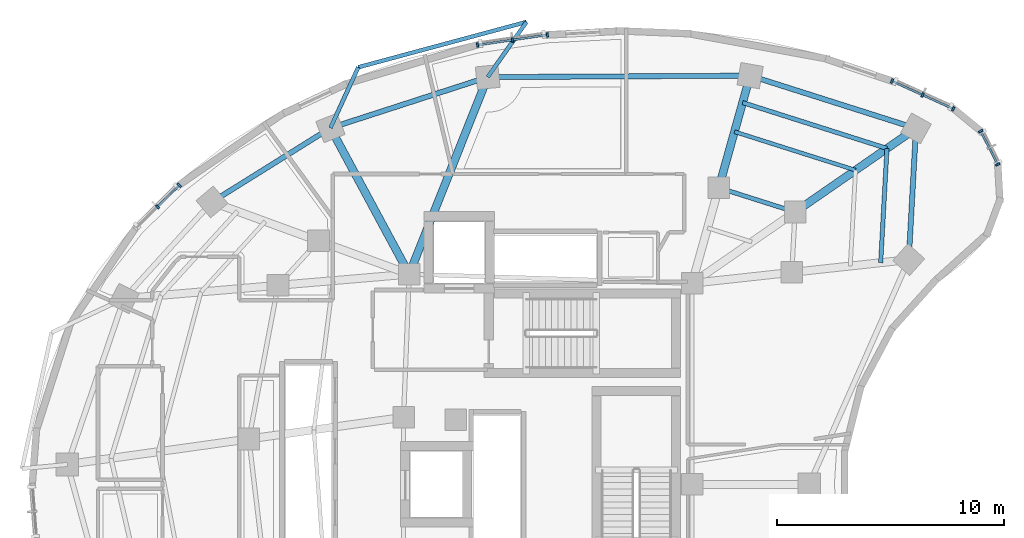
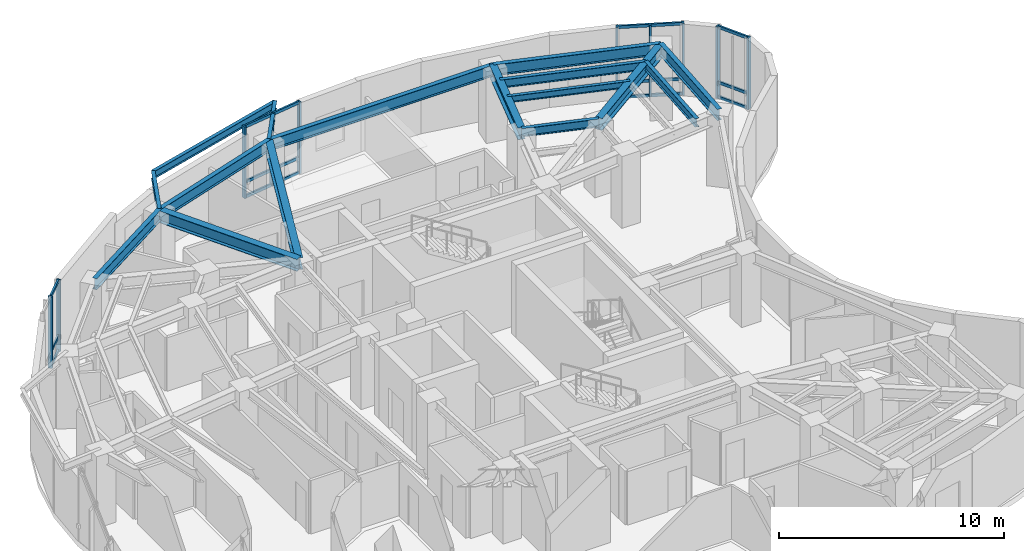
# One storey, part 5 of 13: 28 members, 16 beams, 4 elements without a shape of their own.
"""IFC4 building model written with IfcOpenShell, lengths in metres."""

from ifc_helpers import new_model, si_unit, direction, frame, origin, origin_2d, place, context, subcontext, project, spatial, rectangle, i_section, extrude, material, layer, layer_set, material_profile, profile_set, type_object, element, aggregate, save


model = new_model("IFC4")

# Units and contexts
model_context = context("Model", 3, precision=1e-05, world=origin(), true_north=direction((0.0, 1.0)))
body_context = subcontext(model_context, "Body", "Model", "MODEL_VIEW")
ifc_project = project(units=[si_unit("LENGTHUNIT", "METRE"), si_unit("AREAUNIT", "SQUARE_METRE"), si_unit("VOLUMEUNIT", "CUBIC_METRE"), si_unit("PLANEANGLEUNIT", "RADIAN"), si_unit("MASSUNIT", "GRAM", prefix="KILO")], contexts=[model_context])

# Site, building, storey
site_placement = place(None, origin())
site = spatial("IfcSite", under=ifc_project, at=site_placement, CompositionType="ELEMENT")
building_placement = place(site_placement, origin())
building = spatial("IfcBuilding", under=site, at=building_placement, Name="Korentha Bioscience Tower", CompositionType="ELEMENT")
storey_placement = place(building_placement, frame((0.0, 0.0, 200.39990234375)))
storey = spatial("IfcBuildingStorey", under=building, at=storey_placement, Name="L46", CompositionType="ELEMENT", Elevation=200.39990234375)

# Beam
ifc_material_1 = material(Name="Steel S355", Category="steel")
ifc_material_profile_1 = material_profile(ifc_material_1, i_section(OverallWidth=0.18994140625, OverallDepth=0.45703125, WebThickness=0.009033203125, FlangeThickness=0.014404296875, at=origin_2d()), Name="Steel S355")
ifc_profile_set_1 = profile_set([ifc_material_profile_1], Name="Steel S355 (MB-460)")
beam_type_1 = type_object("IfcBeamType", Name="Mid-Ring Tie Girder W460x74", PredefinedType="BEAM", material=ifc_profile_set_1)
beam_1_placement = place(storey_placement, frame((42.084228515625, 38.985595703125, 3.671630859375), z_axis=(-0.953017639844, 0.302914803446, 0.0), x_axis=(-0.302914803446, -0.953017639844, 0.0)))
element("IfcBeam", 1, at=beam_1_placement, inside=storey, type_object=beam_type_1, Name="L46 Mid-Ring Tie Girder 01", PredefinedType="BEAM", context=body_context, shape_type="SweptSolid", body=[
    extrude(i_section(OverallWidth=0.18994140625, OverallDepth=0.45703125, WebThickness=0.009033203125, FlangeThickness=0.014404296875, at=origin_2d()), origin(), (0.0, 0.0, 1.0), 3.523681640625),
])

# Curtain wall, members
ifc_material_2 = material(Name="Thermally Broken Aluminium Frame", Category="aluminium")
ifc_layer = layer(ifc_material_2, 0.219970703125, Name="Thermally Broken Aluminium Frame")
ifc_layer_set = layer_set([ifc_layer], Name="Thermally Broken Aluminium Frame (CW-T2)")
curtain_wall_type = type_object("IfcCurtainWallType", Name="Solar-Screened Lab Unitised Curtain Wall CW-T2", PredefinedType="USERDEFINED", material=ifc_layer_set)
curtain_wall_1_placement = place(storey_placement, origin())
curtain_wall_1 = element("IfcCurtainWall", 2, at=curtain_wall_1_placement, inside=storey, type_object=curtain_wall_type, Name="L46 Curtain Wall 01", ObjectType="UNITISED", PredefinedType="USERDEFINED")
ifc_material_3 = material(Name="Anodised Aluminium 6063-T6", Category="aluminium")
ifc_material_profile_2 = material_profile(ifc_material_3, rectangle(XDim=0.090087890625, YDim=0.199951171875, at=origin_2d()), Name="Anodised Aluminium 6063-T6")
ifc_profile_set_2 = profile_set([ifc_material_profile_2], Name="Anodised Aluminium 6063-T6 (CW-MUL)")
member_type_1 = type_object("IfcMemberType", Name="Mullion RECT 90x200", PredefinedType="MULLION", material=ifc_profile_set_2)
member_1_placement = place(storey_placement, frame((49.044677734375, 43.52587890625, 0.0), z_axis=(0.0, 0.0, 1.0), x_axis=(-0.910520215031, 0.413464554733, 0.0)))
member_1 = element("IfcMember", 3, at=member_1_placement, type_object=member_type_1, Name="CW-L46-01 Mullion 1", PredefinedType="MULLION", context=body_context, shape_type="SweptSolid", body=[
    extrude(rectangle(XDim=0.090087890625, YDim=0.199951171875, at=origin_2d()), origin(), (0.0, 0.0, 1.0), 3.900146484375),
])
member_2_placement = place(storey_placement, frame((47.697021484375, 44.137939453125, 0.0), z_axis=(0.0, 0.0, 1.0), x_axis=(-0.910520215031, 0.413464554733, 0.0)))
member_2 = element("IfcMember", 4, at=member_2_placement, type_object=member_type_1, Name="CW-L46-01 Mullion 2", PredefinedType="MULLION", context=body_context, shape_type="SweptSolid", body=[
    extrude(rectangle(XDim=0.090087890625, YDim=0.199951171875, at=origin_2d()), origin(), (0.0, 0.0, 1.0), 3.900146484375),
])
member_3_placement = place(storey_placement, frame((46.34912109375, 44.75, 0.0), z_axis=(0.0, 0.0, 1.0), x_axis=(-0.910520215031, 0.413464554733, 0.0)))
member_3 = element("IfcMember", 5, at=member_3_placement, type_object=member_type_1, Name="CW-L46-01 Mullion 3", PredefinedType="MULLION", context=body_context, shape_type="SweptSolid", body=[
    extrude(rectangle(XDim=0.090087890625, YDim=0.199951171875, at=origin_2d()), origin(), (0.0, 0.0, 1.0), 3.900146484375),
])

curtain_wall_2_placement = place(storey_placement, origin())
curtain_wall_2 = element("IfcCurtainWall", 6, at=curtain_wall_2_placement, inside=storey, type_object=curtain_wall_type, Name="L46 Curtain Wall 07", ObjectType="UNITISED", PredefinedType="USERDEFINED")
member_4_placement = place(storey_placement, frame((31.18017578125, 46.78369140625, 0.0), z_axis=(0.0, 0.0, 1.0), x_axis=(-0.989449480287, -0.144878314317, 0.0)))
member_4 = element("IfcMember", 7, at=member_4_placement, type_object=member_type_1, Name="CW-L46-07 Mullion 1", PredefinedType="MULLION", context=body_context, shape_type="SweptSolid", body=[
    extrude(rectangle(XDim=0.090087890625, YDim=0.199951171875, at=origin_2d()), origin(), (0.0, 0.0, 1.0), 3.900146484375),
])
member_5_placement = place(storey_placement, frame((29.642333984375, 46.55859375, 0.0), z_axis=(0.0, 0.0, 1.0), x_axis=(-0.989449480287, -0.144878314317, 0.0)))
member_5 = element("IfcMember", 8, at=member_5_placement, type_object=member_type_1, Name="CW-L46-07 Mullion 2", PredefinedType="MULLION", context=body_context, shape_type="SweptSolid", body=[
    extrude(rectangle(XDim=0.090087890625, YDim=0.199951171875, at=origin_2d()), origin(), (0.0, 0.0, 1.0), 3.900146484375),
])
member_6_placement = place(storey_placement, frame((28.1044921875, 46.333251953125, 0.0), z_axis=(0.0, 0.0, 1.0), x_axis=(-0.989449480287, -0.144878314317, 0.0)))
member_6 = element("IfcMember", 9, at=member_6_placement, type_object=member_type_1, Name="CW-L46-07 Mullion 3", PredefinedType="MULLION", context=body_context, shape_type="SweptSolid", body=[
    extrude(rectangle(XDim=0.090087890625, YDim=0.199951171875, at=origin_2d()), origin(), (0.0, 0.0, 1.0), 3.900146484375),
])

curtain_wall_3_placement = place(storey_placement, origin())
curtain_wall_3 = element("IfcCurtainWall", 10, at=curtain_wall_3_placement, inside=storey, type_object=curtain_wall_type, Name="L46 Curtain Wall 13", ObjectType="UNITISED", PredefinedType="USERDEFINED")
member_7_placement = place(storey_placement, frame((14.9794921875, 40.162353515625, 0.0), z_axis=(0.0, 0.0, 1.0), x_axis=(-0.711177694756, -0.703012294688, 0.0)))
member_7 = element("IfcMember", 11, at=member_7_placement, type_object=member_type_1, Name="CW-L46-13 Mullion 1", PredefinedType="MULLION", context=body_context, shape_type="SweptSolid", body=[
    extrude(rectangle(XDim=0.090087890625, YDim=0.199951171875, at=origin_2d()), origin(), (0.0, 0.0, 1.0), 3.900146484375),
])
member_8_placement = place(storey_placement, frame((14.018798828125, 39.21240234375, 0.0), z_axis=(0.0, 0.0, 1.0), x_axis=(-0.711177694756, -0.703012294688, 0.0)))
member_8 = element("IfcMember", 12, at=member_8_placement, type_object=member_type_1, Name="CW-L46-13 Mullion 2", PredefinedType="MULLION", context=body_context, shape_type="SweptSolid", body=[
    extrude(rectangle(XDim=0.090087890625, YDim=0.199951171875, at=origin_2d()), origin(), (0.0, 0.0, 1.0), 3.900146484375),
])

curtain_wall_4_placement = place(storey_placement, origin())
curtain_wall_4 = element("IfcCurtainWall", 13, at=curtain_wall_4_placement, inside=storey, type_object=curtain_wall_type, Name="L46 Curtain Wall 61", ObjectType="UNITISED", PredefinedType="USERDEFINED")
member_9_placement = place(storey_placement, frame((51.003662109375, 41.07861328125, 0.0), z_axis=(0.0, 0.0, 1.0), x_axis=(-0.454115695623, 0.89094272262, 0.0)))
member_9 = element("IfcMember", 14, at=member_9_placement, type_object=member_type_1, Name="CW-L46-61 Mullion 1", PredefinedType="MULLION", context=body_context, shape_type="SweptSolid", body=[
    extrude(rectangle(XDim=0.090087890625, YDim=0.199951171875, at=origin_2d()), origin(), (0.0, 0.0, 1.0), 3.900146484375),
])
member_10_placement = place(storey_placement, frame((50.25634765625, 42.54443359375, 0.0), z_axis=(0.0, 0.0, 1.0), x_axis=(-0.454115695623, 0.89094272262, 0.0)))
member_10 = element("IfcMember", 15, at=member_10_placement, type_object=member_type_1, Name="CW-L46-61 Mullion 2", PredefinedType="MULLION", context=body_context, shape_type="SweptSolid", body=[
    extrude(rectangle(XDim=0.090087890625, YDim=0.199951171875, at=origin_2d()), origin(), (0.0, 0.0, 1.0), 3.900146484375),
])

# Beams
ifc_material_profile_3 = material_profile(ifc_material_1, i_section(OverallWidth=0.22802734375, OverallDepth=0.60791015625, WebThickness=0.01123046875, FlangeThickness=0.017333984375, at=origin_2d()), Name="Steel S355")
ifc_profile_set_3 = profile_set([ifc_material_profile_3], Name="Steel S355 (SB-610)")
beam_type_2 = type_object("IfcBeamType", Name="Perimeter Ring Spandrel Girder W610x113", PredefinedType="SPANDREL", material=ifc_profile_set_3)
beam_2_placement = place(storey_placement, frame((47.406982421875, 42.666259765625, 3.59619140625), z_axis=(-0.953001929023, 0.30296422772, 0.0), x_axis=(-0.30296422772, -0.953001929023, 0.0)))
element("IfcBeam", 16, at=beam_2_placement, inside=storey, type_object=beam_type_2, Name="L46 Perimeter Spandrel Girder 01", PredefinedType="SPANDREL", context=body_context, shape_type="SweptSolid", body=[
    extrude(i_section(OverallWidth=0.22802734375, OverallDepth=0.60791015625, WebThickness=0.01123046875, FlangeThickness=0.017333984375, at=origin_2d()), origin(), (0.0, 0.0, 1.0), 7.660400390625),
])
beam_3_placement = place(storey_placement, frame((40.106689453125, 44.987060546875, 3.59619140625), z_axis=(-0.999984906184, -0.005494306452, 0.0), x_axis=(0.005494306452, -0.999984906184, 0.0)))
element("IfcBeam", 17, at=beam_3_placement, inside=storey, type_object=beam_type_2, Name="L46 Perimeter Spandrel Girder 02", PredefinedType="SPANDREL", context=body_context, shape_type="SweptSolid", body=[
    extrude(i_section(OverallWidth=0.22802734375, OverallDepth=0.60791015625, WebThickness=0.01123046875, FlangeThickness=0.017333984375, at=origin_2d()), origin(), (0.0, 0.0, 1.0), 11.55322265625),
])
beam_4_placement = place(storey_placement, frame((28.5537109375, 44.923583984375, 3.59619140625), z_axis=(-0.951425150124, -0.307880145042, 0.0), x_axis=(0.307880145042, -0.951425150124, 0.0)))
element("IfcBeam", 18, at=beam_4_placement, inside=storey, type_object=beam_type_2, Name="L46 Perimeter Spandrel Girder 03", PredefinedType="SPANDREL", context=body_context, shape_type="SweptSolid", body=[
    extrude(i_section(OverallWidth=0.22802734375, OverallDepth=0.60791015625, WebThickness=0.01123046875, FlangeThickness=0.017333984375, at=origin_2d()), origin(), (0.0, 0.0, 1.0), 7.275634765625),
])
beam_5_placement = place(storey_placement, frame((21.631591796875, 42.68359375, 3.59619140625), z_axis=(-0.848274790748, -0.52955630426, 0.0), x_axis=(0.52955630426, -0.848274790748, 0.0)))
element("IfcBeam", 19, at=beam_5_placement, inside=storey, type_object=beam_type_2, Name="L46 Perimeter Spandrel Girder 04", PredefinedType="SPANDREL", context=body_context, shape_type="SweptSolid", body=[
    extrude(i_section(OverallWidth=0.22802734375, OverallDepth=0.60791015625, WebThickness=0.01123046875, FlangeThickness=0.017333984375, at=origin_2d()), origin(), (0.0, 0.0, 1.0), 6.148681640625),
])
beam_6_placement = place(storey_placement, frame((47.088134765625, 36.88916015625, 3.59619140625), z_axis=(0.055107780824, 0.998480411672, 0.0), x_axis=(-0.998480411672, 0.055107780824, 0.0)))
element("IfcBeam", 20, at=beam_6_placement, inside=storey, type_object=beam_type_2, Name="L46 Perimeter Spandrel Girder 16", PredefinedType="SPANDREL", context=body_context, shape_type="SweptSolid", body=[
    extrude(i_section(OverallWidth=0.22802734375, OverallDepth=0.60791015625, WebThickness=0.01123046875, FlangeThickness=0.017333984375, at=origin_2d()), origin(), (0.0, 0.0, 1.0), 5.785888671875),
])
ifc_material_profile_4 = material_profile(ifc_material_1, i_section(OverallWidth=0.18994140625, OverallDepth=0.45703125, WebThickness=0.009033203125, FlangeThickness=0.014404296875, at=origin_2d()), Name="Steel S355")
ifc_profile_set_4 = profile_set([ifc_material_profile_4], Name="Steel S355 (RB-460)")
beam_type_3 = type_object("IfcBeamType", Name="Radial Laboratory Beam W460x74", PredefinedType="BEAM", material=ifc_profile_set_4)
beam_7_placement = place(storey_placement, frame((46.12939453125, 41.782958984375, 3.671630859375), z_axis=(-0.953010382505, 0.302937635229, 0.0), x_axis=(-0.302937635229, -0.953010382505, 0.0)))
element("IfcBeam", 21, at=beam_7_placement, inside=storey, type_object=beam_type_3, Name="L46 Secondary Floor Beam JSTO-01", PredefinedType="BEAM", context=body_context, shape_type="SweptSolid", body=[
    extrude(i_section(OverallWidth=0.18994140625, OverallDepth=0.45703125, WebThickness=0.009033203125, FlangeThickness=0.014404296875, at=origin_2d()), origin(), (0.0, 0.0, 1.0), 6.667236328125),
])
beam_8_placement = place(storey_placement, frame((45.85205078125, 36.75439453125, 3.671630859375), z_axis=(0.055069967357, 0.998482497941, 0.0), x_axis=(-0.998482497941, 0.055069967357, 0.0)))
element("IfcBeam", 22, at=beam_8_placement, inside=storey, type_object=beam_type_3, Name="L46 Secondary Floor Beam JSTO-16", PredefinedType="BEAM", context=body_context, shape_type="SweptSolid", body=[
    extrude(i_section(OverallWidth=0.18994140625, OverallDepth=0.45703125, WebThickness=0.009033203125, FlangeThickness=0.014404296875, at=origin_2d()), origin(), (0.0, 0.0, 1.0), 5.0361328125),
])
ifc_material_profile_5 = material_profile(ifc_material_1, i_section(OverallWidth=0.35009765625, OverallDepth=0.64990234375, WebThickness=0.01611328125, FlangeThickness=0.02490234375, at=origin_2d()), Name="Steel S355")
ifc_profile_set_5 = profile_set([ifc_material_profile_5], Name="Steel S355 (RB-650)")
beam_type_4 = type_object("IfcBeamType", Name="Radial Laboratory Girder CVS 650x208", PredefinedType="BEAM", material=ifc_profile_set_5)
beam_9_placement = place(storey_placement, frame((42.084228515625, 38.985595703125, 3.5751953125), z_axis=(0.822504439948, 0.568758688958, 0.0), x_axis=(-0.568758688958, 0.822504439948, 0.0)))
element("IfcBeam", 23, at=beam_9_placement, inside=storey, type_object=beam_type_4, Name="L46 Outer Radial Girder 01", PredefinedType="BEAM", context=body_context, shape_type="SweptSolid", body=[
    extrude(i_section(OverallWidth=0.35009765625, OverallDepth=0.64990234375, WebThickness=0.01611328125, FlangeThickness=0.02490234375, at=origin_2d()), origin(), (0.0, 0.0, 1.0), 6.471435546875),
])
beam_10_placement = place(storey_placement, frame((38.72607421875, 40.052978515625, 3.5751953125), z_axis=(0.269462014476, 0.96301101902, 0.0), x_axis=(-0.96301101902, 0.269462014476, 0.0)))
element("IfcBeam", 24, at=beam_10_placement, inside=storey, type_object=beam_type_4, Name="L46 Outer Radial Girder 02", PredefinedType="BEAM", context=body_context, shape_type="SweptSolid", body=[
    extrude(i_section(OverallWidth=0.35009765625, OverallDepth=0.64990234375, WebThickness=0.01611328125, FlangeThickness=0.02490234375, at=origin_2d()), origin(), (0.0, 0.0, 1.0), 5.12353515625),
])
beam_11_placement = place(storey_placement, frame((25.10009765625, 36.25, 3.5751953125), z_axis=(0.369929378235, 0.929059877036, 0.0), x_axis=(-0.929059877036, 0.369929378235, 0.0)))
element("IfcBeam", 25, at=beam_11_placement, inside=storey, type_object=beam_type_4, Name="L46 Radial Girder 03", PredefinedType="BEAM", context=body_context, shape_type="SweptSolid", body=[
    extrude(i_section(OverallWidth=0.35009765625, OverallDepth=0.64990234375, WebThickness=0.01611328125, FlangeThickness=0.02490234375, at=origin_2d()), origin(), (0.0, 0.0, 1.0), 9.3359375),
])
beam_12_placement = place(storey_placement, frame((25.10009765625, 36.25, 3.5751953125), z_axis=(-0.47455192253, 0.880227511967, 0.0), x_axis=(-0.880227511967, -0.47455192253, 0.0)))
element("IfcBeam", 26, at=beam_12_placement, inside=storey, type_object=beam_type_4, Name="L46 Radial Girder 04", PredefinedType="BEAM", context=body_context, shape_type="SweptSolid", body=[
    extrude(i_section(OverallWidth=0.35009765625, OverallDepth=0.64990234375, WebThickness=0.01611328125, FlangeThickness=0.02490234375, at=origin_2d()), origin(), (0.0, 0.0, 1.0), 7.30908203125),
])
ifc_material_profile_6 = material_profile(ifc_material_1, i_section(OverallWidth=0.1708984375, OverallDepth=0.35498046875, WebThickness=0.007080078125, FlangeThickness=0.01171875, at=origin_2d()), Name="Steel S355")
ifc_profile_set_6 = profile_set([ifc_material_profile_6], Name="Steel S355 (JB-360)")
beam_type_5 = type_object("IfcBeamType", Name="Secondary Laboratory Joist W360x51", PredefinedType="JOIST", material=ifc_profile_set_6)
beam_13_placement = place(storey_placement, frame((44.74560546875, 40.825927734375, 3.72265625), z_axis=(-0.953004875728, 0.302954958433, 0.0), x_axis=(-0.302954958433, -0.953004875728, 0.0)))
element("IfcBeam", 27, at=beam_13_placement, inside=storey, type_object=beam_type_5, Name="L46 Secondary Floor Beam JST-01", PredefinedType="JOIST", context=body_context, shape_type="SweptSolid", body=[
    extrude(i_section(OverallWidth=0.1708984375, OverallDepth=0.35498046875, WebThickness=0.007080078125, FlangeThickness=0.01171875, at=origin_2d()), origin(), (0.0, 0.0, 1.0), 5.591796875),
])
ifc_material_profile_7 = material_profile(ifc_material_1, i_section(OverallWidth=0.177978515625, OverallDepth=0.406982421875, WebThickness=0.0078125, FlangeThickness=0.0126953125, at=origin_2d()), Name="Steel S355")
ifc_profile_set_7 = profile_set([ifc_material_profile_7], Name="Steel S355 (CB-410)")
beam_type_6 = type_object("IfcBeamType", Name="Sun-Ledge Cantilever Beam W410x60", PredefinedType="BEAM", material=ifc_profile_set_7)
beam_14_placement = place(storey_placement, frame((28.5537109375, 44.923583984375, 3.698486328125), z_axis=(0.57554635825, 0.817769154166, 0.0), x_axis=(-0.817769154166, 0.57554635825, 0.0)))
element("IfcBeam", 28, at=beam_14_placement, inside=storey, type_object=beam_type_6, Name="L46 Balcony Cantilever Bracket A-L47-01", PredefinedType="BEAM", context=body_context, shape_type="SweptSolid", body=[
    extrude(i_section(OverallWidth=0.177978515625, OverallDepth=0.406982421875, WebThickness=0.0078125, FlangeThickness=0.0126953125, at=origin_2d()), origin(), (0.0, 0.0, 1.0), 2.96923828125),
])
beam_15_placement = place(storey_placement, frame((21.631591796875, 42.68359375, 3.698486328125), z_axis=(0.416016868584, 0.909356896413, 0.0), x_axis=(-0.909356896413, 0.416016868584, 0.0)))
element("IfcBeam", 29, at=beam_15_placement, inside=storey, type_object=beam_type_6, Name="L46 Balcony Cantilever Bracket B-L47-01", PredefinedType="BEAM", context=body_context, shape_type="SweptSolid", body=[
    extrude(i_section(OverallWidth=0.177978515625, OverallDepth=0.406982421875, WebThickness=0.0078125, FlangeThickness=0.0126953125, at=origin_2d()), origin(), (0.0, 0.0, 1.0), 2.939453125),
])
beam_16_placement = place(storey_placement, frame((30.2626953125, 47.351806640625, 3.698486328125), z_axis=(-0.965596092175, -0.260046508873, 0.0), x_axis=(0.260046508873, -0.965596092175, 0.0)))
element("IfcBeam", 30, at=beam_16_placement, inside=storey, type_object=beam_type_6, Name="L46 Balcony Edge Trimmer Beam L47-01", PredefinedType="BEAM", context=body_context, shape_type="SweptSolid", body=[
    extrude(i_section(OverallWidth=0.177978515625, OverallDepth=0.406982421875, WebThickness=0.0078125, FlangeThickness=0.0126953125, at=origin_2d()), origin(), (0.0, 0.0, 1.0), 7.672119140625),
])

# Member
ifc_material_profile_8 = material_profile(ifc_material_3, rectangle(XDim=0.090087890625, YDim=0.159912109375, at=origin_2d()), Name="Anodised Aluminium 6063-T6")
ifc_profile_set_8 = profile_set([ifc_material_profile_8], Name="Anodised Aluminium 6063-T6 (CW-TRN)")
member_type_2 = type_object("IfcMemberType", Name="Transom RECT 90x160", PredefinedType="USERDEFINED", material=ifc_profile_set_8)
member_11_placement = place(storey_placement, frame((49.00390625, 43.544677734375, 0.045166015625), z_axis=(-0.910582827317, 0.413326643946, 0.0), x_axis=(-0.413326643946, -0.910582827317, 0.0)))
member_11 = element("IfcMember", 31, at=member_11_placement, type_object=member_type_2, Name="CW-L46-01 Bay 1 Transom 1", ObjectType="TRANSOM", PredefinedType="USERDEFINED", context=body_context, shape_type="SweptSolid", body=[
    extrude(rectangle(XDim=0.090087890625, YDim=0.159912109375, at=origin_2d()), origin(), (0.0, 0.0, 1.0), 1.390380859375),
])

member_12_placement = place(storey_placement, frame((49.00390625, 43.544677734375, 0.85009765625), z_axis=(-0.910582827317, 0.413326643946, 0.0), x_axis=(-0.413326643946, -0.910582827317, 0.0)))
member_12 = element("IfcMember", 32, at=member_12_placement, type_object=member_type_2, Name="CW-L46-01 Bay 1 Transom 2", ObjectType="TRANSOM", PredefinedType="USERDEFINED", context=body_context, shape_type="SweptSolid", body=[
    extrude(rectangle(XDim=0.090087890625, YDim=0.159912109375, at=origin_2d()), origin(), (0.0, 0.0, 1.0), 1.390380859375),
])

member_13_placement = place(storey_placement, frame((49.00390625, 43.544677734375, 3.85498046875), z_axis=(-0.910582827317, 0.413326643946, 0.0), x_axis=(-0.413326643946, -0.910582827317, 0.0)))
member_13 = element("IfcMember", 33, at=member_13_placement, type_object=member_type_2, Name="CW-L46-01 Bay 1 Transom 3", ObjectType="TRANSOM", PredefinedType="USERDEFINED", context=body_context, shape_type="SweptSolid", body=[
    extrude(rectangle(XDim=0.090087890625, YDim=0.159912109375, at=origin_2d()), origin(), (0.0, 0.0, 1.0), 1.390380859375),
])

member_14_placement = place(storey_placement, frame((47.656005859375, 44.15673828125, 0.045166015625), z_axis=(-0.910582827317, 0.413326643946, 0.0), x_axis=(-0.413326643946, -0.910582827317, 0.0)))
member_14 = element("IfcMember", 34, at=member_14_placement, type_object=member_type_2, Name="CW-L46-01 Bay 2 Transom 1", ObjectType="TRANSOM", PredefinedType="USERDEFINED", context=body_context, shape_type="SweptSolid", body=[
    extrude(rectangle(XDim=0.090087890625, YDim=0.159912109375, at=origin_2d()), origin(), (0.0, 0.0, 1.0), 1.390380859375),
])

member_15_placement = place(storey_placement, frame((47.656005859375, 44.15673828125, 0.85009765625), z_axis=(-0.910582827317, 0.413326643946, 0.0), x_axis=(-0.413326643946, -0.910582827317, 0.0)))
member_15 = element("IfcMember", 35, at=member_15_placement, type_object=member_type_2, Name="CW-L46-01 Bay 2 Transom 2", ObjectType="TRANSOM", PredefinedType="USERDEFINED", context=body_context, shape_type="SweptSolid", body=[
    extrude(rectangle(XDim=0.090087890625, YDim=0.159912109375, at=origin_2d()), origin(), (0.0, 0.0, 1.0), 1.390380859375),
])

member_16_placement = place(storey_placement, frame((47.656005859375, 44.15673828125, 3.85498046875), z_axis=(-0.910582827317, 0.413326643946, 0.0), x_axis=(-0.413326643946, -0.910582827317, 0.0)))
member_16 = element("IfcMember", 36, at=member_16_placement, type_object=member_type_2, Name="CW-L46-01 Bay 2 Transom 3", ObjectType="TRANSOM", PredefinedType="USERDEFINED", context=body_context, shape_type="SweptSolid", body=[
    extrude(rectangle(XDim=0.090087890625, YDim=0.159912109375, at=origin_2d()), origin(), (0.0, 0.0, 1.0), 1.390380859375),
])

aggregate(curtain_wall_1, [member_1, member_2, member_3, member_11, member_12, member_13, member_14, member_15, member_16])

member_17_placement = place(storey_placement, frame((31.135498046875, 46.777099609375, 0.045166015625), z_axis=(-0.989446492274, -0.144898719546, 0.0), x_axis=(0.144898719546, -0.989446492274, 0.0)))
member_17 = element("IfcMember", 37, at=member_17_placement, type_object=member_type_2, Name="CW-L46-07 Bay 1 Transom 1", ObjectType="TRANSOM", PredefinedType="USERDEFINED", context=body_context, shape_type="SweptSolid", body=[
    extrude(rectangle(XDim=0.090087890625, YDim=0.159912109375, at=origin_2d()), origin(), (0.0, 0.0, 1.0), 1.464111328125),
])

member_18_placement = place(storey_placement, frame((31.135498046875, 46.777099609375, 0.85009765625), z_axis=(-0.989446492274, -0.144898719546, 0.0), x_axis=(0.144898719546, -0.989446492274, 0.0)))
member_18 = element("IfcMember", 38, at=member_18_placement, type_object=member_type_2, Name="CW-L46-07 Bay 1 Transom 2", ObjectType="TRANSOM", PredefinedType="USERDEFINED", context=body_context, shape_type="SweptSolid", body=[
    extrude(rectangle(XDim=0.090087890625, YDim=0.159912109375, at=origin_2d()), origin(), (0.0, 0.0, 1.0), 1.464111328125),
])

member_19_placement = place(storey_placement, frame((31.135498046875, 46.777099609375, 3.85498046875), z_axis=(-0.989446492274, -0.144898719546, 0.0), x_axis=(0.144898719546, -0.989446492274, 0.0)))
member_19 = element("IfcMember", 39, at=member_19_placement, type_object=member_type_2, Name="CW-L46-07 Bay 1 Transom 3", ObjectType="TRANSOM", PredefinedType="USERDEFINED", context=body_context, shape_type="SweptSolid", body=[
    extrude(rectangle(XDim=0.090087890625, YDim=0.159912109375, at=origin_2d()), origin(), (0.0, 0.0, 1.0), 1.464111328125),
])

member_20_placement = place(storey_placement, frame((29.597900390625, 46.552001953125, 0.045166015625), z_axis=(-0.989449992261, -0.144874817738, 0.0), x_axis=(0.144874817738, -0.989449992261, 0.0)))
member_20 = element("IfcMember", 40, at=member_20_placement, type_object=member_type_2, Name="CW-L46-07 Bay 2 Transom 1", ObjectType="TRANSOM", PredefinedType="USERDEFINED", context=body_context, shape_type="SweptSolid", body=[
    extrude(rectangle(XDim=0.090087890625, YDim=0.159912109375, at=origin_2d()), origin(), (0.0, 0.0, 1.0), 1.46435546875),
])

member_21_placement = place(storey_placement, frame((29.597900390625, 46.552001953125, 0.85009765625), z_axis=(-0.989449992261, -0.144874817738, 0.0), x_axis=(0.144874817738, -0.989449992261, 0.0)))
member_21 = element("IfcMember", 41, at=member_21_placement, type_object=member_type_2, Name="CW-L46-07 Bay 2 Transom 2", ObjectType="TRANSOM", PredefinedType="USERDEFINED", context=body_context, shape_type="SweptSolid", body=[
    extrude(rectangle(XDim=0.090087890625, YDim=0.159912109375, at=origin_2d()), origin(), (0.0, 0.0, 1.0), 1.46435546875),
])

member_22_placement = place(storey_placement, frame((29.597900390625, 46.552001953125, 3.85498046875), z_axis=(-0.989449992261, -0.144874817738, 0.0), x_axis=(0.144874817738, -0.989449992261, 0.0)))
member_22 = element("IfcMember", 42, at=member_22_placement, type_object=member_type_2, Name="CW-L46-07 Bay 2 Transom 3", ObjectType="TRANSOM", PredefinedType="USERDEFINED", context=body_context, shape_type="SweptSolid", body=[
    extrude(rectangle(XDim=0.090087890625, YDim=0.159912109375, at=origin_2d()), origin(), (0.0, 0.0, 1.0), 1.46435546875),
])

aggregate(curtain_wall_2, [member_4, member_5, member_6, member_17, member_18, member_19, member_20, member_21, member_22])

member_23_placement = place(storey_placement, frame((14.947509765625, 40.130615234375, 0.045166015625), z_axis=(-0.711064284939, -0.703127003239, 0.0), x_axis=(0.703127003239, -0.711064284939, 0.0)))
member_23 = element("IfcMember", 43, at=member_23_placement, type_object=member_type_2, Name="CW-L46-13 Bay 1 Transom 1", ObjectType="TRANSOM", PredefinedType="USERDEFINED", context=body_context, shape_type="SweptSolid", body=[
    extrude(rectangle(XDim=0.090087890625, YDim=0.159912109375, at=origin_2d()), origin(), (0.0, 0.0, 1.0), 1.260986328125),
])

member_24_placement = place(storey_placement, frame((14.947509765625, 40.130615234375, 0.85009765625), z_axis=(-0.711064284939, -0.703127003239, 0.0), x_axis=(0.703127003239, -0.711064284939, 0.0)))
member_24 = element("IfcMember", 44, at=member_24_placement, type_object=member_type_2, Name="CW-L46-13 Bay 1 Transom 2", ObjectType="TRANSOM", PredefinedType="USERDEFINED", context=body_context, shape_type="SweptSolid", body=[
    extrude(rectangle(XDim=0.090087890625, YDim=0.159912109375, at=origin_2d()), origin(), (0.0, 0.0, 1.0), 1.260986328125),
])

member_25_placement = place(storey_placement, frame((14.947509765625, 40.130615234375, 3.85498046875), z_axis=(-0.711064284939, -0.703127003239, 0.0), x_axis=(0.703127003239, -0.711064284939, 0.0)))
member_25 = element("IfcMember", 45, at=member_25_placement, type_object=member_type_2, Name="CW-L46-13 Bay 1 Transom 3", ObjectType="TRANSOM", PredefinedType="USERDEFINED", context=body_context, shape_type="SweptSolid", body=[
    extrude(rectangle(XDim=0.090087890625, YDim=0.159912109375, at=origin_2d()), origin(), (0.0, 0.0, 1.0), 1.260986328125),
])

aggregate(curtain_wall_3, [member_7, member_8, member_23, member_24, member_25])

member_26_placement = place(storey_placement, frame((50.983154296875, 41.11865234375, 0.045166015625), z_axis=(-0.454106830318, 0.890947241232, 0.0), x_axis=(-0.890947241232, -0.454106830318, 0.0)))
member_26 = element("IfcMember", 46, at=member_26_placement, type_object=member_type_2, Name="CW-L46-61 Bay 1 Transom 1", ObjectType="TRANSOM", PredefinedType="USERDEFINED", context=body_context, shape_type="SweptSolid", body=[
    extrude(rectangle(XDim=0.090087890625, YDim=0.159912109375, at=origin_2d()), origin(), (0.0, 0.0, 1.0), 1.555419921875),
])

member_27_placement = place(storey_placement, frame((50.983154296875, 41.11865234375, 0.85009765625), z_axis=(-0.454106830318, 0.890947241232, 0.0), x_axis=(-0.890947241232, -0.454106830318, 0.0)))
member_27 = element("IfcMember", 47, at=member_27_placement, type_object=member_type_2, Name="CW-L46-61 Bay 1 Transom 2", ObjectType="TRANSOM", PredefinedType="USERDEFINED", context=body_context, shape_type="SweptSolid", body=[
    extrude(rectangle(XDim=0.090087890625, YDim=0.159912109375, at=origin_2d()), origin(), (0.0, 0.0, 1.0), 1.555419921875),
])

member_28_placement = place(storey_placement, frame((50.983154296875, 41.11865234375, 3.85498046875), z_axis=(-0.454106830318, 0.890947241232, 0.0), x_axis=(-0.890947241232, -0.454106830318, 0.0)))
member_28 = element("IfcMember", 48, at=member_28_placement, type_object=member_type_2, Name="CW-L46-61 Bay 1 Transom 3", ObjectType="TRANSOM", PredefinedType="USERDEFINED", context=body_context, shape_type="SweptSolid", body=[
    extrude(rectangle(XDim=0.090087890625, YDim=0.159912109375, at=origin_2d()), origin(), (0.0, 0.0, 1.0), 1.555419921875),
])

aggregate(curtain_wall_4, [member_9, member_10, member_26, member_27, member_28])

save(model, "model.ifc")
